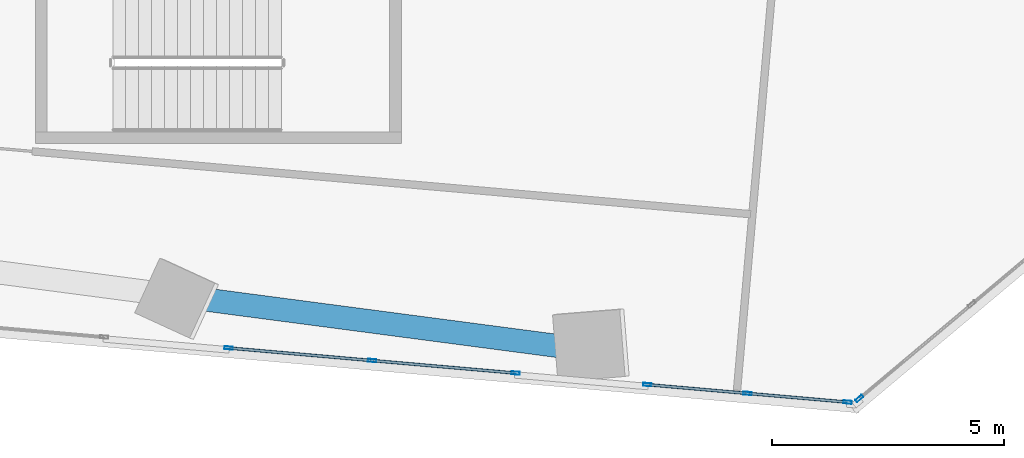
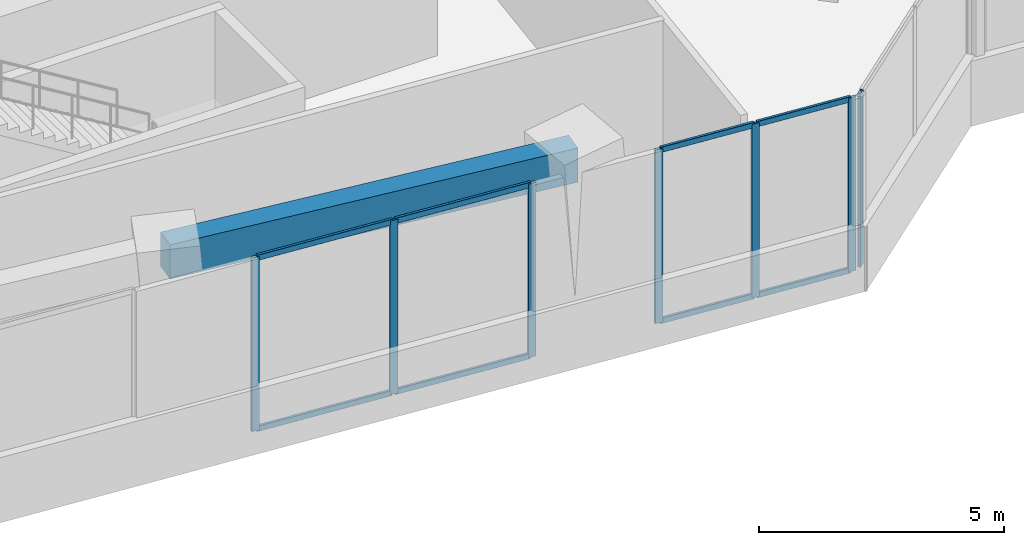
# One storey, part 5 of 23: 15 members, 1 beam, 3 elements without a shape of their own.
"""IFC4 building model written with IfcOpenShell, lengths in metres."""

from ifc_helpers import new_model, si_unit, direction, frame, origin, origin_2d, place, context, subcontext, project, spatial, rectangle, hollow_rectangle, extrude, source, transform, mapped, material, material_profile, profile_set, type_object, element, aggregate, save


model = new_model("IFC4")

# Units and contexts
model_context = context("Model", 3, precision=1e-05, world=origin(), true_north=direction((0.0, 1.0)))
body_context = subcontext(model_context, "Body", "Model", "MODEL_VIEW")
ifc_project = project(units=[si_unit("LENGTHUNIT", "METRE"), si_unit("AREAUNIT", "SQUARE_METRE"), si_unit("VOLUMEUNIT", "CUBIC_METRE"), si_unit("PLANEANGLEUNIT", "RADIAN"), si_unit("MASSUNIT", "GRAM", prefix="KILO")], contexts=[model_context])

# Site, building, storey
site_placement = place(None, origin())
site = spatial("IfcSite", under=ifc_project, at=site_placement, CompositionType="ELEMENT")
building_placement = place(site_placement, origin())
building = spatial("IfcBuilding", under=site, at=building_placement, Name="Torre Montelarca", CompositionType="ELEMENT")
storey_placement = place(building_placement, frame((0.0, 0.0, 56.800048828125)))
storey = spatial("IfcBuildingStorey", under=building, at=storey_placement, Name="L12", CompositionType="ELEMENT", Elevation=56.800048828125)

# Beam
ifc_material_1 = material(Name="Concrete C55/67", Category="concrete")
ifc_material_profile_1 = material_profile(ifc_material_1, rectangle(XDim=0.5, YDim=0.85009765625, at=origin_2d()), Name="RCB500X850", Category="concrete")
ifc_profile_set_1 = profile_set([ifc_material_profile_1], Name="Concrete C55/67")
beam_type = type_object("IfcBeamType", Name="BM-SP-RC850-EXT", PredefinedType="SPANDREL", material=ifc_profile_set_1)
shared_shape_1 = source(origin(), body_context, "Body", "SweptSolid", [
    extrude(rectangle(XDim=0.5, YDim=0.85009765625, at=origin_2d()), origin(), (0.0, 0.0, 1.0), 9.0),
])
beam_placement = place(storey_placement, frame((15.784912109375, 15.404052734375, 4.135009765625), z_axis=(0.991444043898, -0.130532401413, 0.0), x_axis=(0.130532401413, 0.991444043898, 0.0)))
element("IfcBeam", 1, at=beam_placement, inside=storey, type_object=beam_type, Name="L12 Grid Girder X 18.0-27.0 at Y=14.8", PredefinedType="SPANDREL", context=body_context, shape_type="MappedRepresentation", body=[
    mapped(shared_shape_1, transform((0.0, 0.0, 0.0), scale=1.0)),
])

# Curtain wall, members
ifc_material_2 = material(Name="Insulated low-E laminated glass", Category="glass")
curtain_wall_type = type_object("IfcCurtainWallType", Name="CW-SYS-Z1", PredefinedType="USERDEFINED", material=ifc_material_2)
curtain_wall_1_placement = place(storey_placement, origin())
curtain_wall_1 = element("IfcCurtainWall", 2, at=curtain_wall_1_placement, inside=storey, type_object=curtain_wall_type, Name="L12 Curtain Wall Run CW-T3-L12-E01-B2", ObjectType="UNITISED GLAZING", PredefinedType="USERDEFINED")
ifc_material_3 = material(Name="Anodised aluminium AA 6063-T6", Category="aluminium")
ifc_material_profile_2 = material_profile(ifc_material_3, hollow_rectangle(XDim=0.06494140625, YDim=0.179931640625, WallThickness=0.00390625, InnerFilletRadius=0.00390625, OuterFilletRadius=0.008056640625, at=origin_2d()), Name="ALU65X180X4", Category="aluminium")
ifc_profile_set_2 = profile_set([ifc_material_profile_2], Name="Anodised aluminium AA 6063-T6")
member_type_1 = type_object("IfcMemberType", Name="CWM-ALU180", PredefinedType="MULLION", material=ifc_profile_set_2)
shared_shape_2 = source(origin(), body_context, "Body", "SweptSolid", [
    extrude(hollow_rectangle(XDim=0.06494140625, YDim=0.179931640625, WallThickness=0.00390625, InnerFilletRadius=0.00390625, OuterFilletRadius=0.008056640625, at=origin_2d()), origin(), (0.0, 0.0, 1.0), 4.320068359375),
])
member_1_placement = place(storey_placement, frame((17.2236328125, 14.235107421875, 0.0), z_axis=(0.0, 0.0, 1.0), x_axis=(0.087160435674, 0.996194287503, 0.0)))
member_1 = element("IfcMember", 3, at=member_1_placement, type_object=member_type_1, Name="CW mullion 1", PredefinedType="MULLION", context=body_context, shape_type="MappedRepresentation", body=[
    mapped(shared_shape_2, transform((0.0, 0.0, 0.0), scale=1.0)),
])
member_2_placement = place(storey_placement, frame((20.321044921875, 13.964111328125, 0.0), z_axis=(0.0, 0.0, 1.0), x_axis=(0.087160435674, 0.996194287503, 0.0)))
member_2 = element("IfcMember", 4, at=member_2_placement, type_object=member_type_1, Name="CW mullion 2", PredefinedType="MULLION", context=body_context, shape_type="MappedRepresentation", body=[
    mapped(shared_shape_2, transform((0.0, 0.0, 0.0), scale=1.0)),
])
member_3_placement = place(storey_placement, frame((23.418701171875, 13.693115234375, 0.0), z_axis=(0.0, 0.0, 1.0), x_axis=(0.087160435674, 0.996194287503, 0.0)))
member_3 = element("IfcMember", 5, at=member_3_placement, type_object=member_type_1, Name="CW mullion 3", PredefinedType="MULLION", context=body_context, shape_type="MappedRepresentation", body=[
    mapped(shared_shape_2, transform((0.0, 0.0, 0.0), scale=1.0)),
])

curtain_wall_2_placement = place(storey_placement, origin())
curtain_wall_2 = element("IfcCurtainWall", 6, at=curtain_wall_2_placement, inside=storey, type_object=curtain_wall_type, Name="L12 Curtain Wall Run CW-T3-L12-E01-B3", ObjectType="UNITISED GLAZING", PredefinedType="USERDEFINED")
member_4_placement = place(storey_placement, frame((26.261962890625, 13.4443359375, 0.0), z_axis=(0.0, 0.0, 1.0), x_axis=(0.087160474168, 0.996194284135, 0.0)))
member_4 = element("IfcMember", 7, at=member_4_placement, type_object=member_type_1, Name="CW mullion 1", PredefinedType="MULLION", context=body_context, shape_type="MappedRepresentation", body=[
    mapped(shared_shape_2, transform((0.0, 0.0, 0.0), scale=1.0)),
])
member_5_placement = place(storey_placement, frame((28.423828125, 13.255126953125, 0.0), z_axis=(0.0, 0.0, 1.0), x_axis=(0.087160474168, 0.996194284135, 0.0)))
member_5 = element("IfcMember", 8, at=member_5_placement, type_object=member_type_1, Name="CW mullion 2", PredefinedType="MULLION", context=body_context, shape_type="MappedRepresentation", body=[
    mapped(shared_shape_2, transform((0.0, 0.0, 0.0), scale=1.0)),
])
member_6_placement = place(storey_placement, frame((30.5859375, 13.06591796875, 0.0), z_axis=(0.0, 0.0, 1.0), x_axis=(0.087160474168, 0.996194284135, 0.0)))
member_6 = element("IfcMember", 9, at=member_6_placement, type_object=member_type_1, Name="CW mullion 3", PredefinedType="MULLION", context=body_context, shape_type="MappedRepresentation", body=[
    mapped(shared_shape_2, transform((0.0, 0.0, 0.0), scale=1.0)),
])

# Curtain wall, member
curtain_wall_3_placement = place(storey_placement, origin())
curtain_wall_3 = element("IfcCurtainWall", 10, at=curtain_wall_3_placement, inside=storey, type_object=curtain_wall_type, Name="L12 Curtain Wall Run CW-T3-L12-E02-B1", ObjectType="UNITISED GLAZING", PredefinedType="USERDEFINED")
member_7_placement = place(storey_placement, frame((30.840576171875, 13.146484375, 0.0), z_axis=(0.0, 0.0, 1.0), x_axis=(-0.642777937498, 0.766052558945, 0.0)))
member_7 = element("IfcMember", 11, at=member_7_placement, type_object=member_type_1, Name="CW mullion 1", PredefinedType="MULLION", context=body_context, shape_type="MappedRepresentation", body=[
    mapped(shared_shape_2, transform((0.0, 0.0, 0.0), scale=1.0)),
])
aggregate(curtain_wall_3, [member_7])

# Member
ifc_material_profile_3 = material_profile(ifc_material_3, hollow_rectangle(XDim=0.06494140625, YDim=0.139892578125, WallThickness=0.00390625, InnerFilletRadius=0.00390625, OuterFilletRadius=0.008056640625, at=origin_2d()), Name="ALU65X140X4", Category="aluminium")
ifc_profile_set_3 = profile_set([ifc_material_profile_3], Name="Anodised aluminium AA 6063-T6")
member_type_2 = type_object("IfcMemberType", Name="CWT-ALU140", PredefinedType="USERDEFINED", material=ifc_profile_set_3)
shared_shape_3 = source(origin(), body_context, "Body", "SweptSolid", [
    extrude(hollow_rectangle(XDim=0.06494140625, YDim=0.139892578125, WallThickness=0.00390625, InnerFilletRadius=0.00390625, OuterFilletRadius=0.008056640625, at=origin_2d()), origin(), (0.0, 0.0, 1.0), 3.044189453125),
])
member_8_placement = place(storey_placement, frame((20.353515625, 13.96142578125, 0.032470703125), z_axis=(0.996193195192, -0.08717291927, 0.0), x_axis=(0.08717291927, 0.996193195192, 0.0)))
member_8 = element("IfcMember", 12, at=member_8_placement, type_object=member_type_2, Name="CW transom 2.1", ObjectType="TRANSOM", PredefinedType="USERDEFINED", context=body_context, shape_type="MappedRepresentation", body=[
    mapped(shared_shape_3, transform((0.0, 0.0, 0.0), scale=1.0)),
])

member_9_placement = place(storey_placement, frame((20.353515625, 13.96142578125, 4.287353515625), z_axis=(0.996193195192, -0.08717291927, 0.0), x_axis=(0.08717291927, 0.996193195192, 0.0)))
member_9 = element("IfcMember", 13, at=member_9_placement, type_object=member_type_2, Name="CW transom 2.2", ObjectType="TRANSOM", PredefinedType="USERDEFINED", context=body_context, shape_type="MappedRepresentation", body=[
    mapped(shared_shape_3, transform((0.0, 0.0, 0.0), scale=1.0)),
])

shared_shape_4 = source(origin(), body_context, "Body", "SweptSolid", [
    extrude(hollow_rectangle(XDim=0.06494140625, YDim=0.139892578125, WallThickness=0.00390625, InnerFilletRadius=0.00390625, OuterFilletRadius=0.008056640625, at=origin_2d()), origin(), (0.0, 0.0, 1.0), 3.04443359375),
])
member_10_placement = place(storey_placement, frame((17.255859375, 14.232421875, 0.032470703125), z_axis=(0.996193804536, -0.087165955529, 0.0), x_axis=(0.087165955529, 0.996193804536, 0.0)))
member_10 = element("IfcMember", 14, at=member_10_placement, type_object=member_type_2, Name="CW transom 1.1", ObjectType="TRANSOM", PredefinedType="USERDEFINED", context=body_context, shape_type="MappedRepresentation", body=[
    mapped(shared_shape_4, transform((0.0, 0.0, 0.0), scale=1.0)),
])

member_11_placement = place(storey_placement, frame((17.255859375, 14.232421875, 4.287353515625), z_axis=(0.996193804536, -0.087165955529, 0.0), x_axis=(0.087165955529, 0.996193804536, 0.0)))
member_11 = element("IfcMember", 15, at=member_11_placement, type_object=member_type_2, Name="CW transom 1.2", ObjectType="TRANSOM", PredefinedType="USERDEFINED", context=body_context, shape_type="MappedRepresentation", body=[
    mapped(shared_shape_4, transform((0.0, 0.0, 0.0), scale=1.0)),
])

aggregate(curtain_wall_1, [member_1, member_2, member_3, member_10, member_11, member_8, member_9])

shared_shape_5 = source(origin(), body_context, "Body", "SweptSolid", [
    extrude(hollow_rectangle(XDim=0.06494140625, YDim=0.139892578125, WallThickness=0.00390625, InnerFilletRadius=0.00390625, OuterFilletRadius=0.008056640625, at=origin_2d()), origin(), (0.0, 0.0, 1.0), 2.10546875),
])
member_12_placement = place(storey_placement, frame((26.294189453125, 13.441650390625, 0.032470703125), z_axis=(0.996190822055, -0.087200034709, 0.0), x_axis=(0.087200034709, 0.996190822055, 0.0)))
member_12 = element("IfcMember", 16, at=member_12_placement, type_object=member_type_2, Name="CW transom 1.1", ObjectType="TRANSOM", PredefinedType="USERDEFINED", context=body_context, shape_type="MappedRepresentation", body=[
    mapped(shared_shape_5, transform((0.0, 0.0, 0.0), scale=1.0)),
])

member_13_placement = place(storey_placement, frame((26.294189453125, 13.441650390625, 4.287353515625), z_axis=(0.996190822055, -0.087200034709, 0.0), x_axis=(0.087200034709, 0.996190822055, 0.0)))
member_13 = element("IfcMember", 17, at=member_13_placement, type_object=member_type_2, Name="CW transom 1.2", ObjectType="TRANSOM", PredefinedType="USERDEFINED", context=body_context, shape_type="MappedRepresentation", body=[
    mapped(shared_shape_5, transform((0.0, 0.0, 0.0), scale=1.0)),
])

member_14_placement = place(storey_placement, frame((28.456298828125, 13.25244140625, 0.032470703125), z_axis=(0.996190822055, -0.087200034709, 0.0), x_axis=(0.087200034709, 0.996190822055, 0.0)))
member_14 = element("IfcMember", 18, at=member_14_placement, type_object=member_type_2, Name="CW transom 2.1", ObjectType="TRANSOM", PredefinedType="USERDEFINED", context=body_context, shape_type="MappedRepresentation", body=[
    mapped(shared_shape_5, transform((0.0, 0.0, 0.0), scale=1.0)),
])

member_15_placement = place(storey_placement, frame((28.456298828125, 13.25244140625, 4.287353515625), z_axis=(0.996190822055, -0.087200034709, 0.0), x_axis=(0.087200034709, 0.996190822055, 0.0)))
member_15 = element("IfcMember", 19, at=member_15_placement, type_object=member_type_2, Name="CW transom 2.2", ObjectType="TRANSOM", PredefinedType="USERDEFINED", context=body_context, shape_type="MappedRepresentation", body=[
    mapped(shared_shape_5, transform((0.0, 0.0, 0.0), scale=1.0)),
])

aggregate(curtain_wall_2, [member_4, member_5, member_6, member_12, member_13, member_14, member_15])

save(model, "model.ifc")
